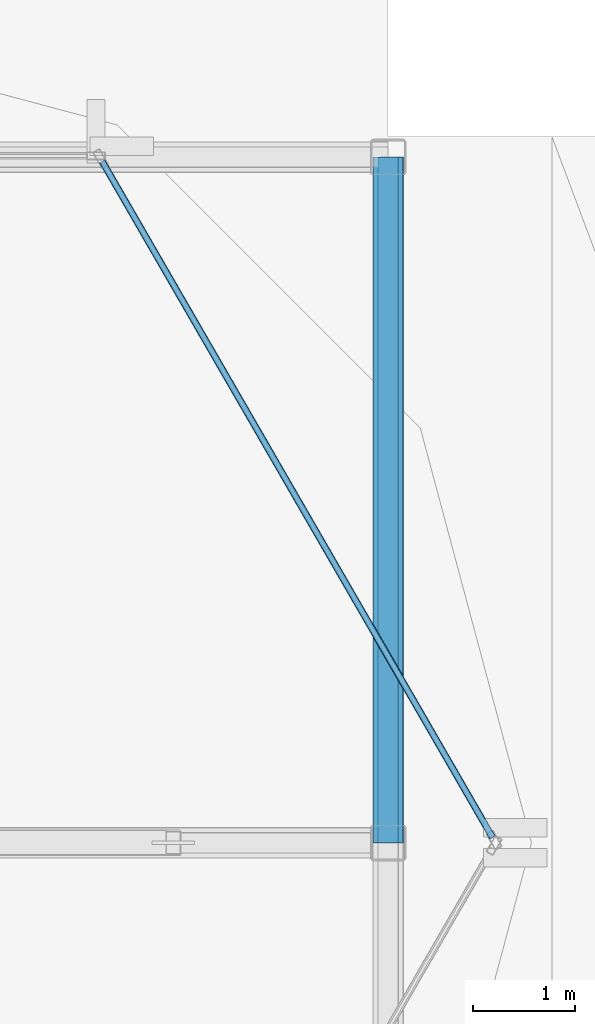
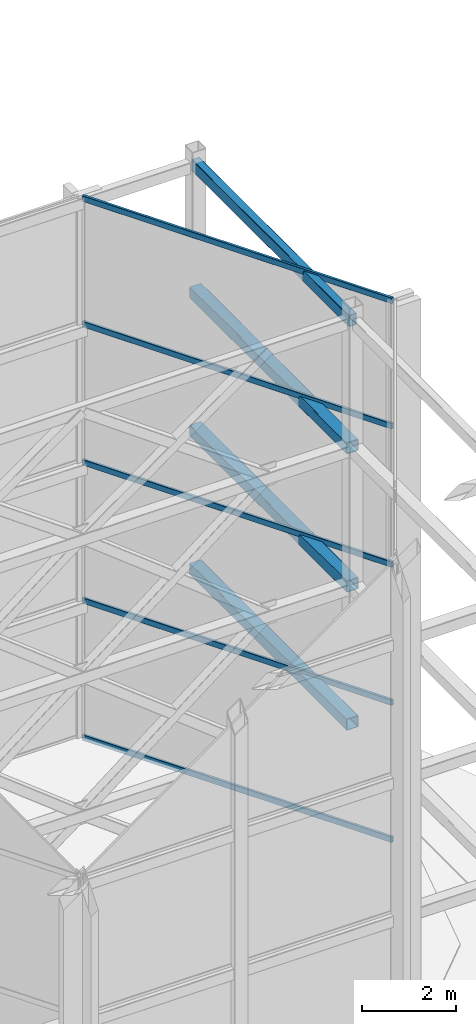
# One storey, part 19 of 24: 5 members, 4 beams, 1 element without a shape of its own.
"""IFC4 building model written with IfcOpenShell, lengths in metres."""

from ifc_helpers import new_model, si_unit, direction, frame, origin, origin_2d, place, context, subcontext, project, spatial, hollow_rectangle, extrude, material, layer, layer_set, material_profile, profile_set, type_object, element, aggregate, save


model = new_model("IFC4")

# Units and contexts
model_context = context("Model", 3, precision=1e-05, world=origin(), true_north=direction((0.0, 1.0)))
body_context = subcontext(model_context, "Body", "Model", "MODEL_VIEW")
ifc_project = project(units=[si_unit("LENGTHUNIT", "METRE"), si_unit("AREAUNIT", "SQUARE_METRE"), si_unit("VOLUMEUNIT", "CUBIC_METRE"), si_unit("PLANEANGLEUNIT", "RADIAN"), si_unit("MASSUNIT", "GRAM", prefix="KILO")], contexts=[model_context])

# Site, building, storey
site_placement = place(None, origin())
site = spatial("IfcSite", under=ifc_project, at=site_placement, CompositionType="ELEMENT")
building_placement = place(site_placement, origin())
building = spatial("IfcBuilding", under=site, at=building_placement, Name="Solvaryn Broadcast Tower", CompositionType="ELEMENT")
storey_placement = place(building_placement, frame((0.0, 0.0, 307.800048828125)))
storey = spatial("IfcBuildingStorey", under=building, at=storey_placement, Name="Roof Main", CompositionType="ELEMENT", Elevation=307.800048828125)

# Beams
ifc_material_1 = material(Name="Steel ASTM A500 Grade C", Category="steel")
ifc_material_profile_1 = material_profile(ifc_material_1, hollow_rectangle(XDim=0.199951171875, YDim=0.300048828125, WallThickness=0.011962890625, InnerFilletRadius=0.011962890625, OuterFilletRadius=0.02392578125, at=origin_2d()))
ifc_profile_set_1 = profile_set([ifc_material_profile_1], Name="Steel ASTM A500 Grade C")
beam_type_1 = type_object("IfcBeamType", Name="BM-CROWN-CAP", PredefinedType="BEAM", material=ifc_profile_set_1)
beam_placement = place(storey_placement, frame((42.800048828125, 17.89990234375, 13.949951171875), z_axis=(0.0, 1.0, 0.0), x_axis=(-1.0, 0.0, 0.0)))
element("IfcBeam", 1, at=beam_placement, inside=storey, type_object=beam_type_1, Name="Roof Main CROWN FRAME Ring Beam ET4-4", PredefinedType="BEAM", context=body_context, shape_type="SweptSolid", body=[
    extrude(hollow_rectangle(XDim=0.199951171875, YDim=0.300048828125, WallThickness=0.011962890625, InnerFilletRadius=0.011962890625, OuterFilletRadius=0.02392578125, at=origin_2d()), origin(), (0.0, 0.0, 1.0), 6.7001953125),
])
ifc_material_2 = material(Name="Steel ASTM A500 Grade C", Category="steel")
ifc_material_profile_2 = material_profile(ifc_material_2, hollow_rectangle(XDim=0.300048828125, YDim=0.300048828125, WallThickness=0.01416015625, InnerFilletRadius=0.01416015625, OuterFilletRadius=0.0283203125, at=origin_2d()))
ifc_profile_set_2 = profile_set([ifc_material_profile_2], Name="Steel ASTM A500 Grade C")
beam_type_2 = type_object("IfcBeamType", Name="BM-CROWN-RING", PredefinedType="BEAM", material=ifc_profile_set_2)
for number, where, z_axis, x_axis, name in (
    (2, (42.800048828125, 17.89990234375, 3.449951171875), (0.0, 1.0, 0.0), (-1.0, 0.0, 0.0), "Roof Main CROWN FRAME Ring Beam ET1-4"),
    (3, (42.800048828125, 17.89990234375, 7.050048828125), (0.0, 1.0, 0.0), (-1.0, 0.0, 0.0), "Roof Main CROWN FRAME Ring Beam ET2-4"),
    (4, (42.800048828125, 17.89990234375, 10.64990234375), (0.0, 1.0, 0.0), (-1.0, 0.0, 0.0), "Roof Main CROWN FRAME Ring Beam ET3-4"),
):
    element("IfcBeam", number, at=place(storey_placement, frame(where, z_axis=z_axis, x_axis=x_axis)), inside=storey, type_object=beam_type_2, Name=name, PredefinedType="BEAM", context=body_context, shape_type="SweptSolid", body=[
        extrude(hollow_rectangle(XDim=0.300048828125, YDim=0.300048828125, WallThickness=0.01416015625, InnerFilletRadius=0.01416015625, OuterFilletRadius=0.0283203125, at=origin_2d()), origin(), (0.0, 0.0, 1.0), 6.7001953125),
    ])

# Curtain wall, members
ifc_material_3 = material(Name="Aluminium and Terracotta Unitised Curtain Wall", Category="masonry")
ifc_layer = layer(ifc_material_3, 0.2099609375)
ifc_layer_set = layer_set([ifc_layer], Name="CW-SYS6-CROWN")
curtain_wall_type = type_object("IfcCurtainWallType", Name="CW-SYS6-CROWN", PredefinedType="NOTDEFINED", material=ifc_layer_set)
curtain_wall_placement = place(storey_placement, origin())
curtain_wall = element("IfcCurtainWall", 5, at=curtain_wall_placement, inside=storey, type_object=curtain_wall_type, Name="Roof Main Split-Top Crown Curtain Wall E1", PredefinedType="NOTDEFINED")
ifc_material_4 = material(Name="Anodised Aluminium 6063-T6", Category="aluminium")
ifc_material_profile_3 = material_profile(ifc_material_4, hollow_rectangle(XDim=0.06494140625, YDim=0.14990234375, WallThickness=0.00390625, InnerFilletRadius=0.00390625, OuterFilletRadius=0.008056640625, at=origin_2d()))
ifc_profile_set_3 = profile_set([ifc_material_profile_3], Name="Anodised Aluminium 6063-T6")
member_type = type_object("IfcMemberType", Name="CW-TRN-150", PredefinedType="USERDEFINED", material=ifc_profile_set_3)
member_1_placement = place(storey_placement, frame((43.820068359375, 17.951904296875, 0.030029296875), z_axis=(-0.49999664678, 0.866027339758, 0.0), x_axis=(-0.866027339758, -0.49999664678, 0.0)))
member_1 = element("IfcMember", 6, at=member_1_placement, type_object=member_type, Name="CWS6 transom 1.1", ObjectType="TRANSOM", PredefinedType="USERDEFINED", context=body_context, shape_type="SweptSolid", body=[
    extrude(hollow_rectangle(XDim=0.06494140625, YDim=0.14990234375, WallThickness=0.00390625, InnerFilletRadius=0.00390625, OuterFilletRadius=0.008056640625, at=origin_2d()), origin(), (0.0, 0.0, 1.0), 7.63037109375),
])
member_2_placement = place(storey_placement, frame((43.820068359375, 17.951904296875, 3.599853515625), z_axis=(-0.49999664678, 0.866027339758, 0.0), x_axis=(-0.866027339758, -0.49999664678, 0.0)))
member_2 = element("IfcMember", 7, at=member_2_placement, type_object=member_type, Name="CWS6 transom 1.2", ObjectType="TRANSOM", PredefinedType="USERDEFINED", context=body_context, shape_type="SweptSolid", body=[
    extrude(hollow_rectangle(XDim=0.06494140625, YDim=0.14990234375, WallThickness=0.00390625, InnerFilletRadius=0.00390625, OuterFilletRadius=0.008056640625, at=origin_2d()), origin(), (0.0, 0.0, 1.0), 7.63037109375),
])
member_3_placement = place(storey_placement, frame((43.820068359375, 17.951904296875, 7.199951171875), z_axis=(-0.49999664678, 0.866027339758, 0.0), x_axis=(-0.866027339758, -0.49999664678, 0.0)))
member_3 = element("IfcMember", 8, at=member_3_placement, type_object=member_type, Name="CWS6 transom 1.3", ObjectType="TRANSOM", PredefinedType="USERDEFINED", context=body_context, shape_type="SweptSolid", body=[
    extrude(hollow_rectangle(XDim=0.06494140625, YDim=0.14990234375, WallThickness=0.00390625, InnerFilletRadius=0.00390625, OuterFilletRadius=0.008056640625, at=origin_2d()), origin(), (0.0, 0.0, 1.0), 7.63037109375),
])
member_4_placement = place(storey_placement, frame((43.820068359375, 17.951904296875, 10.800048828125), z_axis=(-0.49999664678, 0.866027339758, 0.0), x_axis=(-0.866027339758, -0.49999664678, 0.0)))
member_4 = element("IfcMember", 9, at=member_4_placement, type_object=member_type, Name="CWS6 transom 1.4", ObjectType="TRANSOM", PredefinedType="USERDEFINED", context=body_context, shape_type="SweptSolid", body=[
    extrude(hollow_rectangle(XDim=0.06494140625, YDim=0.14990234375, WallThickness=0.00390625, InnerFilletRadius=0.00390625, OuterFilletRadius=0.008056640625, at=origin_2d()), origin(), (0.0, 0.0, 1.0), 7.63037109375),
])
member_5_placement = place(storey_placement, frame((43.820068359375, 17.951904296875, 14.070068359375), z_axis=(-0.49999664678, 0.866027339758, 0.0), x_axis=(-0.866027339758, -0.49999664678, 0.0)))
member_5 = element("IfcMember", 10, at=member_5_placement, type_object=member_type, Name="CWS6 transom 1.5", ObjectType="TRANSOM", PredefinedType="USERDEFINED", context=body_context, shape_type="SweptSolid", body=[
    extrude(hollow_rectangle(XDim=0.06494140625, YDim=0.14990234375, WallThickness=0.00390625, InnerFilletRadius=0.00390625, OuterFilletRadius=0.008056640625, at=origin_2d()), origin(), (0.0, 0.0, 1.0), 7.63037109375),
])
aggregate(curtain_wall, [member_1, member_2, member_3, member_4, member_5])

save(model, "model.ifc")
